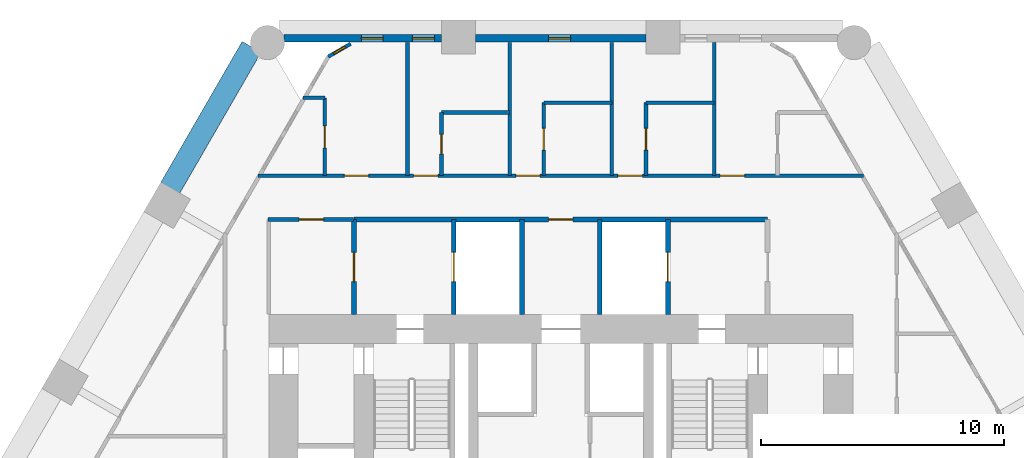
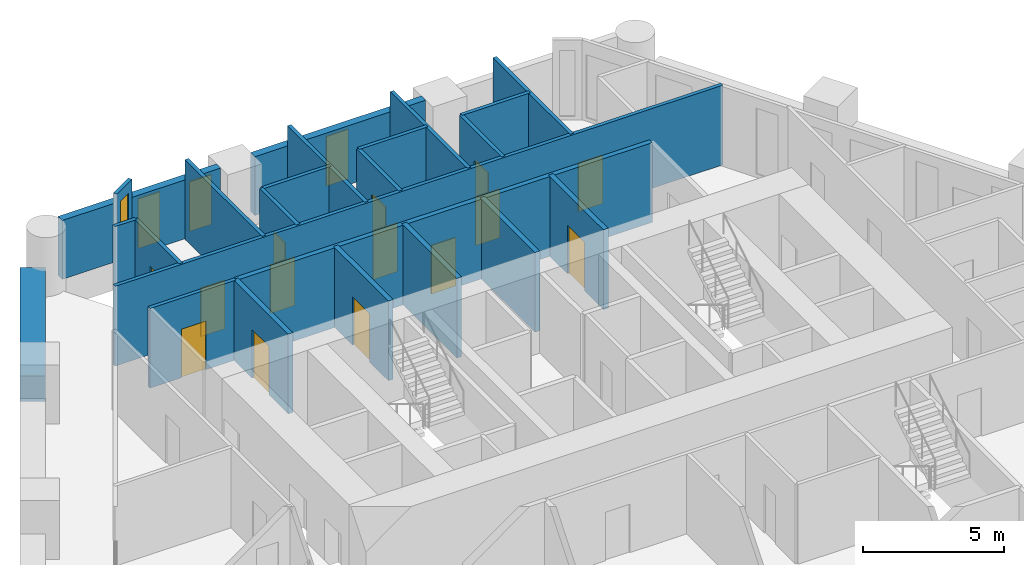
# One storey, part 6 of 8: 24 walls, 14 doors, 4 windows, 18 openings.
"""IFC4 building model written with IfcOpenShell, lengths in metres."""

from ifc_helpers import new_model, si_unit, direction, frame, frame_2d, origin, place, context, subcontext, project, spatial, rectangle, extrude, material, layer, layer_set, type_object, element, fill, save


model = new_model("IFC4")

# Units and contexts
model_context = context("Model", 3, precision=1e-05, world=origin(), true_north=direction((0.0, 1.0)))
body_context = subcontext(model_context, "Body", "Model", "MODEL_VIEW")
ifc_project = project(units=[si_unit("LENGTHUNIT", "METRE"), si_unit("AREAUNIT", "SQUARE_METRE"), si_unit("VOLUMEUNIT", "CUBIC_METRE"), si_unit("PLANEANGLEUNIT", "RADIAN"), si_unit("MASSUNIT", "GRAM", prefix="KILO")], contexts=[model_context])

# Site, building, storey
site_placement = place(None, origin())
site = spatial("IfcSite", under=ifc_project, at=site_placement, CompositionType="ELEMENT")
building_placement = place(site_placement, origin())
building = spatial("IfcBuilding", under=site, at=building_placement, Name="Ostrander Bayou Hotel Tower", CompositionType="ELEMENT")
storey_placement = place(building_placement, frame((0.0, 0.0, 28.0)))
storey = spatial("IfcBuildingStorey", under=building, at=storey_placement, Name="L06", CompositionType="ELEMENT", Elevation=28.0)

# Wall, opening, window
ifc_material_1 = material(Name="Aluminium framed insulated wall", Category="aluminium")
ifc_layer_1 = layer(ifc_material_1, 0.14990234375)
ifc_layer_set_1 = layer_set([ifc_layer_1], Name="GW1 glass-line wall 150 mm")
wall_type_1 = type_object("IfcWallType", Name="GW1 glass-line wall 150 mm", PredefinedType="SOLIDWALL", material=ifc_layer_set_1)
wall_1_placement = place(storey_placement, frame((-8.63720703125, 20.824951171875, 0.0), z_axis=(0.0, 0.0, 1.0), x_axis=(-0.866048165231, -0.499960573946, 0.0)))
wall_1 = element("IfcWall", 1, at=wall_1_placement, inside=storey, type_object=wall_type_1, Name="GW1 L06 corner 1", PredefinedType="SOLIDWALL", context=body_context, shape_type="SweptSolid", body=[
    extrude(rectangle(XDim=1.06494140625, YDim=0.14990234375, at=frame_2d((0.532470703125, 0.0))), origin(), (0.0, 0.0, 1.0), 3.449951171875),
])
opening_1_placement = place(wall_1_placement, frame((0.257568359375, 0.0, 0.14990234375)))
opening_1 = element("IfcOpeningElement", 2, at=opening_1_placement, cuts=wall_1, Name="Opening W19", PredefinedType="OPENING", context=body_context, shape_type="SweptSolid", body=[
    extrude(rectangle(XDim=0.550048828125, YDim=2.85009765625, at=frame_2d((0.27490234375, 1.425048828125))), frame((0.0, 0.074951171875, 0.0), z_axis=(0.0, -1.0, 0.0), x_axis=(1.0, 0.0, 0.0)), (0.0, 0.0, 1.0), 0.14990234375),
])
ifc_material_2 = material(Name="Aluminium and clear glass", Category="aluminium")
window_type_1 = type_object("IfcWindowType", Name="W19 corner window 550 mm", PartitioningType="SINGLE_PANEL", PredefinedType="WINDOW", material=ifc_material_2)
window_1_placement = place(opening_1_placement, origin())
window_1 = element("IfcWindow", 3, at=window_1_placement, inside=storey, type_object=window_type_1, Name="W19 L06 corner 1", OverallHeight=2.85009765625, OverallWidth=0.550048828125, PartitioningType="SINGLE_PANEL", PredefinedType="WINDOW", context=body_context, shape_type="SweptSolid", body=[
    extrude(rectangle(XDim=0.550048828125, YDim=2.85009765625, at=frame_2d((0.27490234375, 1.425048828125))), frame((0.0, 0.030029296875, 0.0), z_axis=(0.0, -1.0, 0.0), x_axis=(1.0, 0.0, 0.0)), (0.0, 0.0, 1.0), 0.06005859375),
])
fill(opening_1, window_1)

ifc_material_3 = material(Name="Reconstituted stone on masonry backing", Category="masonry")
ifc_layer_2 = layer(ifc_material_3, 0.300048828125)
ifc_layer_set_2 = layer_set([ifc_layer_2], Name="NW1 north stone wall 300 mm")
wall_type_2 = type_object("IfcWallType", Name="NW1 north stone wall 300 mm", PredefinedType="SOLIDWALL", material=ifc_layer_set_2)
wall_2_placement = place(storey_placement, frame((3.495361328125, 21.050048828125, 0.0), z_axis=(0.0, 0.0, 1.0), x_axis=(-1.0, 0.0, 0.0)))
wall_2 = element("IfcWall", 4, at=wall_2_placement, inside=storey, type_object=wall_type_2, Name="NW1 L06 N-2", PredefinedType="SOLIDWALL", context=body_context, shape_type="SweptSolid", body=[
    extrude(rectangle(XDim=6.99072265625, YDim=0.300048828125, at=frame_2d((3.495361328125, 0.0))), origin(), (0.0, 0.0, 1.0), 2.550048828125),
])
opening_2_placement = place(wall_2_placement, frame((3.095458984375, 0.0, 0.14990234375)))
opening_2 = element("IfcOpeningElement", 5, at=opening_2_placement, cuts=wall_2, Name="Opening W15", PredefinedType="OPENING", context=body_context, shape_type="SweptSolid", body=[
    extrude(rectangle(XDim=0.89990234375, YDim=2.14990234375, at=frame_2d((0.449951171875, 1.074951171875))), frame((0.0, 0.14990234375, 0.0), z_axis=(0.0, -1.0, 0.0), x_axis=(1.0, 0.0, 0.0)), (0.0, 0.0, 1.0), 0.300048828125),
])
ifc_material_4 = material(Name="Aluminium and clear glass", Category="aluminium")
window_type_2 = type_object("IfcWindowType", Name="W15 window 900 mm, zone 1", PartitioningType="SINGLE_PANEL", PredefinedType="WINDOW", material=ifc_material_4)
window_2_placement = place(opening_2_placement, origin())
window_2 = element("IfcWindow", 6, at=window_2_placement, inside=storey, type_object=window_type_2, Name="W15 L06 north N-2", OverallHeight=2.14990234375, OverallWidth=0.89990234375, PartitioningType="SINGLE_PANEL", PredefinedType="WINDOW", context=body_context, shape_type="SweptSolid", body=[
    extrude(rectangle(XDim=0.89990234375, YDim=2.14990234375, at=frame_2d((0.449951171875, 1.074951171875))), frame((0.0, 0.030029296875, 0.0), z_axis=(0.0, -1.0, 0.0), x_axis=(1.0, 0.0, 0.0)), (0.0, 0.0, 1.0), 0.06005859375),
])
fill(opening_2, window_2)

# Wall, openings, windows
wall_3_placement = place(storey_placement, frame((-4.8955078125, 21.050048828125, 0.0), z_axis=(0.0, 0.0, 1.0), x_axis=(-1.0, 0.0, 0.0)))
wall_3 = element("IfcWall", 7, at=wall_3_placement, inside=storey, type_object=wall_type_2, Name="NW1 L06 N-3", PredefinedType="SOLIDWALL", context=body_context, shape_type="SweptSolid", body=[
    extrude(rectangle(XDim=6.481201171875, YDim=0.300048828125, at=frame_2d((3.24072265625, 0.0))), origin(), (0.0, 0.0, 1.0), 2.550048828125),
])
opening_3_placement = place(wall_3_placement, frame((0.300048828125, 0.0, 0.14990234375)))
opening_3 = element("IfcOpeningElement", 8, at=opening_3_placement, cuts=wall_3, Name="Opening W15", PredefinedType="OPENING", context=body_context, shape_type="SweptSolid", body=[
    extrude(rectangle(XDim=0.89990234375, YDim=2.14990234375, at=frame_2d((0.449951171875, 1.074951171875))), frame((0.0, 0.14990234375, 0.0), z_axis=(0.0, -1.0, 0.0), x_axis=(1.0, 0.0, 0.0)), (0.0, 0.0, 1.0), 0.300048828125),
])
opening_4_placement = place(wall_3_placement, frame((2.404541015625, 0.0, 0.14990234375)))
opening_4 = element("IfcOpeningElement", 9, at=opening_4_placement, cuts=wall_3, Name="Opening W15", PredefinedType="OPENING", context=body_context, shape_type="SweptSolid", body=[
    extrude(rectangle(XDim=0.89990234375, YDim=2.14990234375, at=frame_2d((0.449951171875, 1.074951171875))), frame((0.0, 0.14990234375, 0.0), z_axis=(0.0, -1.0, 0.0), x_axis=(1.0, 0.0, 0.0)), (0.0, 0.0, 1.0), 0.300048828125),
])
window_3_placement = place(opening_3_placement, origin())
window_3 = element("IfcWindow", 10, at=window_3_placement, inside=storey, type_object=window_type_2, Name="W15 L06 north N-3", OverallHeight=2.14990234375, OverallWidth=0.89990234375, PartitioningType="SINGLE_PANEL", PredefinedType="WINDOW", context=body_context, shape_type="SweptSolid", body=[
    extrude(rectangle(XDim=0.89990234375, YDim=2.14990234375, at=frame_2d((0.449951171875, 1.074951171875))), frame((0.0, 0.030029296875, 0.0), z_axis=(0.0, -1.0, 0.0), x_axis=(1.0, 0.0, 0.0)), (0.0, 0.0, 1.0), 0.06005859375),
])
fill(opening_3, window_3)
window_4_placement = place(opening_4_placement, origin())
window_4 = element("IfcWindow", 11, at=window_4_placement, inside=storey, type_object=window_type_2, Name="W15 L06 north N-3-2", OverallHeight=2.14990234375, OverallWidth=0.89990234375, PartitioningType="SINGLE_PANEL", PredefinedType="WINDOW", context=body_context, shape_type="SweptSolid", body=[
    extrude(rectangle(XDim=0.89990234375, YDim=2.14990234375, at=frame_2d((0.449951171875, 1.074951171875))), frame((0.0, 0.030029296875, 0.0), z_axis=(0.0, -1.0, 0.0), x_axis=(1.0, 0.0, 0.0)), (0.0, 0.0, 1.0), 0.06005859375),
])
fill(opening_4, window_4)

# Wall
ifc_material_5 = material(Name="Concrete f'c 40 MPa", Category="concrete")
ifc_layer_3 = layer(ifc_material_5, 0.89990234375)
ifc_layer_set_3 = layer_set([ifc_layer_3], Name="PA1 stone-faced parapet 900 mm")
wall_type_3 = type_object("IfcWallType", Name="PA1 stone-faced parapet 900 mm", PredefinedType="PARAPET", material=ifc_layer_set_3)
wall_4_placement = place(storey_placement, frame((-12.705078125, 20.694091796875, 0.0), z_axis=(0.0, 0.0, 1.0), x_axis=(-0.500005133765, -0.866022439784, 0.0)))
element("IfcWall", 12, at=wall_4_placement, inside=storey, type_object=wall_type_3, Name="PA1 L06 NW-1", PredefinedType="PARAPET", context=body_context, shape_type="SweptSolid", body=[
    extrude(rectangle(XDim=6.70361328125, YDim=0.89990234375, at=frame_2d((3.351806640625, 0.0))), origin(), (0.0, 0.0, 1.0), 1.10009765625),
])

# Wall, opening, door
ifc_material_6 = material(Name="Masonry block", Category="masonry")
ifc_layer_4 = layer(ifc_material_6, 0.199951171875)
ifc_layer_set_4 = layer_set([ifc_layer_4], Name="PT5 stair enclosure wall 200 mm masonry, 2 hour")
wall_type_4 = type_object("IfcWallType", Name="PT5 stair enclosure wall 200 mm masonry, 2 hour", PredefinedType="PARTITIONING", material=ifc_layer_set_4)
wall_5_placement = place(storey_placement, frame((-8.5, 13.60009765625, 0.0), z_axis=(0.0, 0.0, 1.0), x_axis=(1.0, 0.0, 0.0)))
wall_5 = element("IfcWall", 13, at=wall_5_placement, inside=storey, type_object=wall_type_4, Name="cs:L06:025", PredefinedType="PARTITIONING", context=body_context, shape_type="SweptSolid", body=[
    extrude(rectangle(XDim=17.0, YDim=0.199951171875, at=frame_2d((8.5, 0.0))), origin(), (0.0, 0.0, 1.0), 3.449951171875),
])
opening_5_placement = place(wall_5_placement, frame((8.0, 0.0, 0.0)))
opening_5 = element("IfcOpeningElement", 14, at=opening_5_placement, cuts=wall_5, Name="Opening T06-013", PredefinedType="OPENING", context=body_context, shape_type="SweptSolid", body=[
    extrude(rectangle(XDim=1.0, YDim=2.10009765625, at=frame_2d((0.5, 1.050048828125))), frame((0.0, 0.10009765625, 0.0), z_axis=(0.0, -1.0, 0.0), x_axis=(1.0, 0.0, 0.0)), (0.0, 0.0, 1.0), 0.199951171875),
])
ifc_material_7 = material(Name="Timber door leaf", Category="wood")
door_type_1 = type_object("IfcDoorType", Name="D9 service door 1000 x 2100 mm, 30 minute", OperationType="SINGLE_SWING_LEFT", PredefinedType="DOOR", material=ifc_material_7)
door_1_placement = place(opening_5_placement, origin())
door_1 = element("IfcDoor", 15, at=door_1_placement, inside=storey, type_object=door_type_1, Name="dr:L06:013", OperationType="SINGLE_SWING_LEFT", OverallHeight=2.10009765625, OverallWidth=1.0, PredefinedType="DOOR", context=body_context, shape_type="SweptSolid", body=[
    extrude(rectangle(XDim=1.0, YDim=2.10009765625, at=frame_2d((0.5, 1.050048828125))), frame((0.0, 0.02490234375, 0.0), z_axis=(0.0, -1.0, 0.0), x_axis=(1.0, 0.0, 0.0)), (0.0, 0.0, 1.0), 0.050048828125),
])
fill(opening_5, door_1)

wall_6_placement = place(storey_placement, frame((-8.5, 9.699951171875, 0.0), z_axis=(0.0, 0.0, 1.0), x_axis=(0.0, 1.0, 0.0)))
wall_6 = element("IfcWall", 16, at=wall_6_placement, inside=storey, type_object=wall_type_4, Name="cs:L06:026", PredefinedType="PARTITIONING", context=body_context, shape_type="SweptSolid", body=[
    extrude(rectangle(XDim=3.900146484375, YDim=0.199951171875, at=frame_2d((1.9501953125, 0.0))), origin(), (0.0, 0.0, 1.0), 3.449951171875),
])
opening_6_placement = place(wall_6_placement, frame((1.35009765625, 0.0, 0.0)))
opening_6 = element("IfcOpeningElement", 17, at=opening_6_placement, cuts=wall_6, Name="Opening T06-010", PredefinedType="OPENING", context=body_context, shape_type="SweptSolid", body=[
    extrude(rectangle(XDim=1.199951171875, YDim=2.10009765625, at=frame_2d((0.60009765625, 1.050048828125))), frame((0.0, 0.10009765625, 0.0), z_axis=(0.0, -1.0, 0.0), x_axis=(1.0, 0.0, 0.0)), (0.0, 0.0, 1.0), 0.199951171875),
])
ifc_material_8 = material(Name="Timber door leaf", Category="wood")
door_type_2 = type_object("IfcDoorType", Name="D7 lobby door 1200 x 2100 mm, 1 hour", OperationType="SINGLE_SWING_LEFT", PredefinedType="DOOR", material=ifc_material_8)
door_2_placement = place(opening_6_placement, origin())
door_2 = element("IfcDoor", 18, at=door_2_placement, inside=storey, type_object=door_type_2, Name="dr:L06:010", OperationType="SINGLE_SWING_LEFT", OverallHeight=2.10009765625, OverallWidth=1.199951171875, PredefinedType="DOOR", context=body_context, shape_type="SweptSolid", body=[
    extrude(rectangle(XDim=1.199951171875, YDim=2.10009765625, at=frame_2d((0.60009765625, 1.050048828125))), frame((0.0, 0.02490234375, 0.0), z_axis=(0.0, -1.0, 0.0), x_axis=(1.0, 0.0, 0.0)), (0.0, 0.0, 1.0), 0.050048828125),
])
fill(opening_6, door_2)

wall_7_placement = place(storey_placement, frame((-4.39990234375, 9.699951171875, 0.0), z_axis=(0.0, 0.0, 1.0), x_axis=(0.0, 1.0, 0.0)))
wall_7 = element("IfcWall", 19, at=wall_7_placement, inside=storey, type_object=wall_type_4, Name="cs:L06:028", PredefinedType="PARTITIONING", context=body_context, shape_type="SweptSolid", body=[
    extrude(rectangle(XDim=3.900146484375, YDim=0.199951171875, at=frame_2d((1.9501953125, 0.0))), origin(), (0.0, 0.0, 1.0), 3.449951171875),
])
opening_7_placement = place(wall_7_placement, frame((1.35009765625, 0.0, 0.0)))
opening_7 = element("IfcOpeningElement", 20, at=opening_7_placement, cuts=wall_7, Name="Opening T06-009", PredefinedType="OPENING", context=body_context, shape_type="SweptSolid", body=[
    extrude(rectangle(XDim=1.199951171875, YDim=2.10009765625, at=frame_2d((0.60009765625, 1.050048828125))), frame((0.0, 0.10009765625, 0.0), z_axis=(0.0, -1.0, 0.0), x_axis=(1.0, 0.0, 0.0)), (0.0, 0.0, 1.0), 0.199951171875),
])
ifc_material_9 = material(Name="Stainless steel sliding door", Category="steel")
door_type_3 = type_object("IfcDoorType", Name="LD1 lift landing door 1200 x 2100 mm", OperationType="SINGLE_SWING_LEFT", PredefinedType="DOOR", material=ifc_material_9)
door_3_placement = place(opening_7_placement, origin())
door_3 = element("IfcDoor", 21, at=door_3_placement, inside=storey, type_object=door_type_3, Name="dr:L06:009", OperationType="SLIDING_TO_LEFT", OverallHeight=2.10009765625, OverallWidth=1.199951171875, PredefinedType="DOOR", context=body_context, shape_type="SweptSolid", body=[
    extrude(rectangle(XDim=1.199951171875, YDim=2.10009765625, at=frame_2d((0.60009765625, 1.050048828125))), frame((0.0, 0.02490234375, 0.0), z_axis=(0.0, -1.0, 0.0), x_axis=(1.0, 0.0, 0.0)), (0.0, 0.0, 1.0), 0.050048828125),
])
fill(opening_7, door_3)

wall_8_placement = place(storey_placement, frame((4.39990234375, 9.699951171875, 0.0), z_axis=(0.0, 0.0, 1.0), x_axis=(0.0, 1.0, 0.0)))
wall_8 = element("IfcWall", 22, at=wall_8_placement, inside=storey, type_object=wall_type_4, Name="cs:L06:029", PredefinedType="PARTITIONING", context=body_context, shape_type="SweptSolid", body=[
    extrude(rectangle(XDim=3.900146484375, YDim=0.199951171875, at=frame_2d((1.9501953125, 0.0))), origin(), (0.0, 0.0, 1.0), 3.449951171875),
])
opening_8_placement = place(wall_8_placement, frame((1.35009765625, 0.0, 0.0)))
opening_8 = element("IfcOpeningElement", 23, at=opening_8_placement, cuts=wall_8, Name="Opening T06-011", PredefinedType="OPENING", context=body_context, shape_type="SweptSolid", body=[
    extrude(rectangle(XDim=1.199951171875, YDim=2.10009765625, at=frame_2d((0.60009765625, 1.050048828125))), frame((0.0, 0.10009765625, 0.0), z_axis=(0.0, -1.0, 0.0), x_axis=(1.0, 0.0, 0.0)), (0.0, 0.0, 1.0), 0.199951171875),
])
door_4_placement = place(opening_8_placement, origin())
door_4 = element("IfcDoor", 24, at=door_4_placement, inside=storey, type_object=door_type_3, Name="dr:L06:011", OperationType="SLIDING_TO_LEFT", OverallHeight=2.10009765625, OverallWidth=1.199951171875, PredefinedType="DOOR", context=body_context, shape_type="SweptSolid", body=[
    extrude(rectangle(XDim=1.199951171875, YDim=2.10009765625, at=frame_2d((0.60009765625, 1.050048828125))), frame((0.0, 0.02490234375, 0.0), z_axis=(0.0, -1.0, 0.0), x_axis=(1.0, 0.0, 0.0)), (0.0, 0.0, 1.0), 0.050048828125),
])
fill(opening_8, door_4)

# Walls
ifc_material_10 = material(Name="Masonry block", Category="masonry")
ifc_layer_5 = layer(ifc_material_10, 0.199951171875)
ifc_layer_set_5 = layer_set([ifc_layer_5], Name="PT6 lift shaft wall 200 mm masonry, 2 hour")
wall_type_5 = type_object("IfcWallType", Name="PT6 lift shaft wall 200 mm masonry, 2 hour", PredefinedType="PARTITIONING", material=ifc_layer_set_5)
for number, where, z_axis, x_axis, name in (
    (25, (-1.60009765625, 9.699951171875, 0.0), (0.0, 0.0, 1.0), (0.0, 1.0, 0.0), "cs:L06:030"),
    (26, (1.60009765625, 9.699951171875, 0.0), (0.0, 0.0, 1.0), (0.0, 1.0, 0.0), "cs:L06:031"),
):
    element("IfcWall", number, at=place(storey_placement, frame(where, z_axis=z_axis, x_axis=x_axis)), inside=storey, type_object=wall_type_5, Name=name, PredefinedType="PARTITIONING", context=body_context, shape_type="SweptSolid", body=[
        extrude(rectangle(XDim=3.900146484375, YDim=0.199951171875, at=frame_2d((1.9501953125, 0.0))), origin(), (0.0, 0.0, 1.0), 3.449951171875),
    ])

# Wall, opening, door
ifc_material_11 = material(Name="Gypsum board partition", Category="finish")
ifc_layer_6 = layer(ifc_material_11, 0.14990234375)
ifc_layer_set_6 = layer_set([ifc_layer_6], Name="PT8 service band wall 150 mm, 1 hour")
wall_type_6 = type_object("IfcWallType", Name="PT8 service band wall 150 mm, 1 hour", PredefinedType="PARTITIONING", material=ifc_layer_set_6)
wall_9_placement = place(storey_placement, frame((-12.0400390625, 13.60009765625, 0.0), z_axis=(0.0, 0.0, 1.0), x_axis=(1.0, 0.0, 0.0)))
wall_9 = element("IfcWall", 27, at=wall_9_placement, inside=storey, type_object=wall_type_6, Name="gw:L06:013", PredefinedType="PARTITIONING", context=body_context, shape_type="SweptSolid", body=[
    extrude(rectangle(XDim=3.530029296875, YDim=0.14990234375, at=frame_2d((1.76513671875, 0.0))), origin(), (0.0, 0.0, 1.0), 3.449951171875),
])
opening_9_placement = place(wall_9_placement, frame((1.2900390625, 0.0, 0.0)))
opening_9 = element("IfcOpeningElement", 28, at=opening_9_placement, cuts=wall_9, Name="Opening T06-425", PredefinedType="OPENING", context=body_context, shape_type="SweptSolid", body=[
    extrude(rectangle(XDim=1.0, YDim=2.10009765625, at=frame_2d((0.5, 1.050048828125))), frame((0.0, 0.074951171875, 0.0), z_axis=(0.0, -1.0, 0.0), x_axis=(1.0, 0.0, 0.0)), (0.0, 0.0, 1.0), 0.14990234375),
])
door_5_placement = place(opening_9_placement, origin())
door_5 = element("IfcDoor", 29, at=door_5_placement, inside=storey, type_object=door_type_1, Name="dr:L06:425", OperationType="SINGLE_SWING_RIGHT", OverallHeight=2.10009765625, OverallWidth=1.0, PredefinedType="DOOR", context=body_context, shape_type="SweptSolid", body=[
    extrude(rectangle(XDim=1.0, YDim=2.10009765625, at=frame_2d((0.5, 1.050048828125))), frame((0.0, 0.02490234375, 0.0), z_axis=(0.0, -1.0, 0.0), x_axis=(1.0, 0.0, 0.0)), (0.0, 0.0, 1.0), 0.050048828125),
])
fill(opening_9, door_5)

# Wall, openings, doors
wall_10_placement = place(storey_placement, frame((-12.43603515625, 15.39990234375, 0.0), z_axis=(0.0, 0.0, 1.0), x_axis=(1.0, 0.0, 0.0)))
wall_10 = element("IfcWall", 30, at=wall_10_placement, inside=storey, type_object=wall_type_6, Name="gw:L06:014", PredefinedType="PARTITIONING", context=body_context, shape_type="SweptSolid", body=[
    extrude(rectangle(XDim=24.8720703125, YDim=0.14990234375, at=frame_2d((12.43603515625, 0.0))), origin(), (0.0, 0.0, 1.0), 3.449951171875),
])
opening_10_placement = place(wall_10_placement, frame((3.5380859375, 0.0, 0.0)))
opening_10 = element("IfcOpeningElement", 31, at=opening_10_placement, cuts=wall_10, Name="Opening T06-415", PredefinedType="OPENING", context=body_context, shape_type="SweptSolid", body=[
    extrude(rectangle(XDim=1.0, YDim=2.10009765625, at=frame_2d((0.5, 1.050048828125))), frame((0.0, 0.074951171875, 0.0), z_axis=(0.0, -1.0, 0.0), x_axis=(1.0, 0.0, 0.0)), (0.0, 0.0, 1.0), 0.14990234375),
])
opening_11_placement = place(wall_10_placement, frame((6.385986328125, 0.0, 0.0)))
opening_11 = element("IfcOpeningElement", 32, at=opening_11_placement, cuts=wall_10, Name="Opening T06-417", PredefinedType="OPENING", context=body_context, shape_type="SweptSolid", body=[
    extrude(rectangle(XDim=1.0, YDim=2.10009765625, at=frame_2d((0.5, 1.050048828125))), frame((0.0, 0.074951171875, 0.0), z_axis=(0.0, -1.0, 0.0), x_axis=(1.0, 0.0, 0.0)), (0.0, 0.0, 1.0), 0.14990234375),
])
opening_12_placement = place(wall_10_placement, frame((10.5859375, 0.0, 0.0)))
opening_12 = element("IfcOpeningElement", 33, at=opening_12_placement, cuts=wall_10, Name="Opening T06-419", PredefinedType="OPENING", context=body_context, shape_type="SweptSolid", body=[
    extrude(rectangle(XDim=1.0, YDim=2.10009765625, at=frame_2d((0.5, 1.050048828125))), frame((0.0, 0.074951171875, 0.0), z_axis=(0.0, -1.0, 0.0), x_axis=(1.0, 0.0, 0.0)), (0.0, 0.0, 1.0), 0.14990234375),
])
opening_13_placement = place(wall_10_placement, frame((14.785888671875, 0.0, 0.0)))
opening_13 = element("IfcOpeningElement", 34, at=opening_13_placement, cuts=wall_10, Name="Opening T06-421", PredefinedType="OPENING", context=body_context, shape_type="SweptSolid", body=[
    extrude(rectangle(XDim=1.0, YDim=2.10009765625, at=frame_2d((0.5, 1.050048828125))), frame((0.0, 0.074951171875, 0.0), z_axis=(0.0, -1.0, 0.0), x_axis=(1.0, 0.0, 0.0)), (0.0, 0.0, 1.0), 0.14990234375),
])
opening_14_placement = place(wall_10_placement, frame((18.986083984375, 0.0, 0.0)))
opening_14 = element("IfcOpeningElement", 35, at=opening_14_placement, cuts=wall_10, Name="Opening T06-423", PredefinedType="OPENING", context=body_context, shape_type="SweptSolid", body=[
    extrude(rectangle(XDim=1.0, YDim=2.10009765625, at=frame_2d((0.5, 1.050048828125))), frame((0.0, 0.074951171875, 0.0), z_axis=(0.0, -1.0, 0.0), x_axis=(1.0, 0.0, 0.0)), (0.0, 0.0, 1.0), 0.14990234375),
])
ifc_material_12 = material(Name="Timber door leaf", Category="wood")
door_type_4 = type_object("IfcDoorType", Name="D1 guest room door 1000 x 2100 mm, 30 minute", OperationType="SINGLE_SWING_LEFT", PredefinedType="DOOR", material=ifc_material_12)
door_6_placement = place(opening_11_placement, origin())
door_6 = element("IfcDoor", 36, at=door_6_placement, inside=storey, type_object=door_type_4, Name="dr:L06:417", OperationType="SINGLE_SWING_LEFT", OverallHeight=2.10009765625, OverallWidth=1.0, PredefinedType="DOOR", context=body_context, shape_type="SweptSolid", body=[
    extrude(rectangle(XDim=1.0, YDim=2.10009765625, at=frame_2d((0.5, 1.050048828125))), frame((0.0, 0.02490234375, 0.0), z_axis=(0.0, -1.0, 0.0), x_axis=(1.0, 0.0, 0.0)), (0.0, 0.0, 1.0), 0.050048828125),
])
fill(opening_11, door_6)
door_7_placement = place(opening_12_placement, origin())
door_7 = element("IfcDoor", 37, at=door_7_placement, inside=storey, type_object=door_type_4, Name="dr:L06:419", OperationType="SINGLE_SWING_LEFT", OverallHeight=2.10009765625, OverallWidth=1.0, PredefinedType="DOOR", context=body_context, shape_type="SweptSolid", body=[
    extrude(rectangle(XDim=1.0, YDim=2.10009765625, at=frame_2d((0.5, 1.050048828125))), frame((0.0, 0.02490234375, 0.0), z_axis=(0.0, -1.0, 0.0), x_axis=(1.0, 0.0, 0.0)), (0.0, 0.0, 1.0), 0.050048828125),
])
fill(opening_12, door_7)
door_8_placement = place(opening_13_placement, origin())
door_8 = element("IfcDoor", 38, at=door_8_placement, inside=storey, type_object=door_type_4, Name="dr:L06:421", OperationType="SINGLE_SWING_LEFT", OverallHeight=2.10009765625, OverallWidth=1.0, PredefinedType="DOOR", context=body_context, shape_type="SweptSolid", body=[
    extrude(rectangle(XDim=1.0, YDim=2.10009765625, at=frame_2d((0.5, 1.050048828125))), frame((0.0, 0.02490234375, 0.0), z_axis=(0.0, -1.0, 0.0), x_axis=(1.0, 0.0, 0.0)), (0.0, 0.0, 1.0), 0.050048828125),
])
fill(opening_13, door_8)
door_9_placement = place(opening_14_placement, origin())
door_9 = element("IfcDoor", 39, at=door_9_placement, inside=storey, type_object=door_type_4, Name="dr:L06:423", OperationType="SINGLE_SWING_LEFT", OverallHeight=2.10009765625, OverallWidth=1.0, PredefinedType="DOOR", context=body_context, shape_type="SweptSolid", body=[
    extrude(rectangle(XDim=1.0, YDim=2.10009765625, at=frame_2d((0.5, 1.050048828125))), frame((0.0, 0.02490234375, 0.0), z_axis=(0.0, -1.0, 0.0), x_axis=(1.0, 0.0, 0.0)), (0.0, 0.0, 1.0), 0.050048828125),
])
fill(opening_14, door_9)
ifc_material_13 = material(Name="Timber door leaf", Category="wood")
door_type_5 = type_object("IfcDoorType", Name="D15 room door 1000 x 2100 mm", OperationType="SINGLE_SWING_LEFT", PredefinedType="DOOR", material=ifc_material_13)
door_10_placement = place(opening_10_placement, origin())
door_10 = element("IfcDoor", 40, at=door_10_placement, inside=storey, type_object=door_type_5, Name="dr:L06:415", OperationType="SINGLE_SWING_RIGHT", OverallHeight=2.10009765625, OverallWidth=1.0, PredefinedType="DOOR", context=body_context, shape_type="SweptSolid", body=[
    extrude(rectangle(XDim=1.0, YDim=2.10009765625, at=frame_2d((0.5, 1.050048828125))), frame((0.0, 0.02490234375, 0.0), z_axis=(0.0, -1.0, 0.0), x_axis=(1.0, 0.0, 0.0)), (0.0, 0.0, 1.0), 0.050048828125),
])
fill(opening_10, door_10)

# Walls
wall_11_placement = place(storey_placement, frame((-4.89990234375, 18.0, 0.0), z_axis=(0.0, 0.0, 1.0), x_axis=(1.0, 0.0, 0.0)))
element("IfcWall", 41, at=wall_11_placement, inside=storey, type_object=wall_type_6, Name="gw:L06:015", PredefinedType="PARTITIONING", context=body_context, shape_type="SweptSolid", body=[
    extrude(rectangle(XDim=2.7998046875, YDim=0.14990234375, at=frame_2d((1.39990234375, 0.0))), origin(), (0.0, 0.0, 1.0), 3.449951171875),
])
for number, where, z_axis, x_axis, name in (
    (42, (-0.699951171875, 18.39990234375, 0.0), (0.0, 0.0, 1.0), (1.0, 0.0, 0.0), "gw:L06:017"),
    (43, (3.5, 18.39990234375, 0.0), (0.0, 0.0, 1.0), (1.0, 0.0, 0.0), "gw:L06:018"),
):
    element("IfcWall", number, at=place(storey_placement, frame(where, z_axis=z_axis, x_axis=x_axis)), inside=storey, type_object=wall_type_6, Name=name, PredefinedType="PARTITIONING", context=body_context, shape_type="SweptSolid", body=[
        extrude(rectangle(XDim=2.800048828125, YDim=0.14990234375, at=frame_2d((1.39990234375, 0.0))), origin(), (0.0, 0.0, 1.0), 3.449951171875),
    ])
wall_12_placement = place(storey_placement, frame((-10.589111328125, 18.60009765625, 0.0), z_axis=(0.0, 0.0, 1.0), x_axis=(1.0, 0.0, 0.0)))
element("IfcWall", 44, at=wall_12_placement, inside=storey, type_object=wall_type_6, Name="gw:L06:019", PredefinedType="PARTITIONING", context=body_context, shape_type="SweptSolid", body=[
    extrude(rectangle(XDim=0.89404296875, YDim=0.14990234375, at=frame_2d((0.447021484375, 0.0))), origin(), (0.0, 0.0, 1.0), 3.449951171875),
])
wall_13_placement = place(storey_placement, frame((6.300048828125, 15.39990234375, 0.0), z_axis=(0.0, 0.0, 1.0), x_axis=(0.0, 1.0, 0.0)))
element("IfcWall", 45, at=wall_13_placement, inside=storey, type_object=wall_type_6, Name="gw:L06:025", PredefinedType="PARTITIONING", context=body_context, shape_type="SweptSolid", body=[
    extrude(rectangle(XDim=5.47021484375, YDim=0.14990234375, at=frame_2d((2.735107421875, 0.0))), origin(), (0.0, 0.0, 1.0), 3.449951171875),
])

# Wall, opening, door
wall_14_placement = place(storey_placement, frame((3.5, 15.39990234375, 0.0), z_axis=(0.0, 0.0, 1.0), x_axis=(0.0, 1.0, 0.0)))
wall_14 = element("IfcWall", 46, at=wall_14_placement, inside=storey, type_object=wall_type_6, Name="gw:L06:027", PredefinedType="PARTITIONING", context=body_context, shape_type="SweptSolid", body=[
    extrude(rectangle(XDim=3.0, YDim=0.14990234375, at=frame_2d((1.5, 0.0))), origin(), (0.0, 0.0, 1.0), 3.449951171875),
])
opening_15_placement = place(wall_14_placement, frame((1.050048828125, 0.0, 0.0)))
opening_15 = element("IfcOpeningElement", 47, at=opening_15_placement, cuts=wall_14, Name="Opening T06-422", PredefinedType="OPENING", context=body_context, shape_type="SweptSolid", body=[
    extrude(rectangle(XDim=0.89990234375, YDim=2.10009765625, at=frame_2d((0.449951171875, 1.050048828125))), frame((0.0, 0.074951171875, 0.0), z_axis=(0.0, -1.0, 0.0), x_axis=(1.0, 0.0, 0.0)), (0.0, 0.0, 1.0), 0.14990234375),
])
ifc_material_14 = material(Name="Timber door leaf", Category="wood")
door_type_6 = type_object("IfcDoorType", Name="D14 bathroom door 900 x 2100 mm", OperationType="SINGLE_SWING_LEFT", PredefinedType="DOOR", material=ifc_material_14)
door_11_placement = place(opening_15_placement, origin())
door_11 = element("IfcDoor", 48, at=door_11_placement, inside=storey, type_object=door_type_6, Name="dr:L06:422", OperationType="SINGLE_SWING_LEFT", OverallHeight=2.10009765625, OverallWidth=0.89990234375, PredefinedType="DOOR", context=body_context, shape_type="SweptSolid", body=[
    extrude(rectangle(XDim=0.89990234375, YDim=2.10009765625, at=frame_2d((0.449951171875, 1.050048828125))), frame((0.0, 0.02490234375, 0.0), z_axis=(0.0, -1.0, 0.0), x_axis=(1.0, 0.0, 0.0)), (0.0, 0.0, 1.0), 0.050048828125),
])
fill(opening_15, door_11)

# Wall
wall_15_placement = place(storey_placement, frame((2.10009765625, 15.39990234375, 0.0), z_axis=(0.0, 0.0, 1.0), x_axis=(0.0, 1.0, 0.0)))
element("IfcWall", 49, at=wall_15_placement, inside=storey, type_object=wall_type_6, Name="gw:L06:029", PredefinedType="PARTITIONING", context=body_context, shape_type="SweptSolid", body=[
    extrude(rectangle(XDim=5.47021484375, YDim=0.14990234375, at=frame_2d((2.735107421875, 0.0))), origin(), (0.0, 0.0, 1.0), 3.449951171875),
])

# Wall, opening, door
wall_16_placement = place(storey_placement, frame((-0.699951171875, 15.39990234375, 0.0), z_axis=(0.0, 0.0, 1.0), x_axis=(0.0, 1.0, 0.0)))
wall_16 = element("IfcWall", 50, at=wall_16_placement, inside=storey, type_object=wall_type_6, Name="gw:L06:031", PredefinedType="PARTITIONING", context=body_context, shape_type="SweptSolid", body=[
    extrude(rectangle(XDim=3.0, YDim=0.14990234375, at=frame_2d((1.5, 0.0))), origin(), (0.0, 0.0, 1.0), 3.449951171875),
])
opening_16_placement = place(wall_16_placement, frame((1.050048828125, 0.0, 0.0)))
opening_16 = element("IfcOpeningElement", 51, at=opening_16_placement, cuts=wall_16, Name="Opening T06-420", PredefinedType="OPENING", context=body_context, shape_type="SweptSolid", body=[
    extrude(rectangle(XDim=0.89990234375, YDim=2.10009765625, at=frame_2d((0.449951171875, 1.050048828125))), frame((0.0, 0.074951171875, 0.0), z_axis=(0.0, -1.0, 0.0), x_axis=(1.0, 0.0, 0.0)), (0.0, 0.0, 1.0), 0.14990234375),
])
door_12_placement = place(opening_16_placement, origin())
door_12 = element("IfcDoor", 52, at=door_12_placement, inside=storey, type_object=door_type_6, Name="dr:L06:420", OperationType="SINGLE_SWING_LEFT", OverallHeight=2.10009765625, OverallWidth=0.89990234375, PredefinedType="DOOR", context=body_context, shape_type="SweptSolid", body=[
    extrude(rectangle(XDim=0.89990234375, YDim=2.10009765625, at=frame_2d((0.449951171875, 1.050048828125))), frame((0.0, 0.02490234375, 0.0), z_axis=(0.0, -1.0, 0.0), x_axis=(1.0, 0.0, 0.0)), (0.0, 0.0, 1.0), 0.050048828125),
])
fill(opening_16, door_12)

# Wall
wall_17_placement = place(storey_placement, frame((-2.10009765625, 15.39990234375, 0.0), z_axis=(0.0, 0.0, 1.0), x_axis=(0.0, 1.0, 0.0)))
element("IfcWall", 53, at=wall_17_placement, inside=storey, type_object=wall_type_6, Name="gw:L06:032", PredefinedType="PARTITIONING", context=body_context, shape_type="SweptSolid", body=[
    extrude(rectangle(XDim=5.47021484375, YDim=0.14990234375, at=frame_2d((2.735107421875, 0.0))), origin(), (0.0, 0.0, 1.0), 3.449951171875),
])

# Wall, opening, door
wall_18_placement = place(storey_placement, frame((-4.89990234375, 15.39990234375, 0.0), z_axis=(0.0, 0.0, 1.0), x_axis=(0.0, 1.0, 0.0)))
wall_18 = element("IfcWall", 54, at=wall_18_placement, inside=storey, type_object=wall_type_6, Name="gw:L06:033", PredefinedType="PARTITIONING", context=body_context, shape_type="SweptSolid", body=[
    extrude(rectangle(XDim=2.60009765625, YDim=0.14990234375, at=frame_2d((1.300048828125, 0.0))), origin(), (0.0, 0.0, 1.0), 3.449951171875),
])
opening_17_placement = place(wall_18_placement, frame((0.89990234375, 0.0, 0.0)))
opening_17 = element("IfcOpeningElement", 55, at=opening_17_placement, cuts=wall_18, Name="Opening T06-418", PredefinedType="OPENING", context=body_context, shape_type="SweptSolid", body=[
    extrude(rectangle(XDim=0.800048828125, YDim=2.10009765625, at=frame_2d((0.39990234375, 1.050048828125))), frame((0.0, 0.074951171875, 0.0), z_axis=(0.0, -1.0, 0.0), x_axis=(1.0, 0.0, 0.0)), (0.0, 0.0, 1.0), 0.14990234375),
])
ifc_material_15 = material(Name="Timber door leaf", Category="wood")
door_type_7 = type_object("IfcDoorType", Name="D2 bathroom door 800 x 2100 mm", OperationType="SINGLE_SWING_LEFT", PredefinedType="DOOR", material=ifc_material_15)
door_13_placement = place(opening_17_placement, origin())
door_13 = element("IfcDoor", 56, at=door_13_placement, inside=storey, type_object=door_type_7, Name="dr:L06:418", OperationType="SINGLE_SWING_LEFT", OverallHeight=2.10009765625, OverallWidth=0.800048828125, PredefinedType="DOOR", context=body_context, shape_type="SweptSolid", body=[
    extrude(rectangle(XDim=0.800048828125, YDim=2.10009765625, at=frame_2d((0.39990234375, 1.050048828125))), frame((0.0, 0.02490234375, 0.0), z_axis=(0.0, -1.0, 0.0), x_axis=(1.0, 0.0, 0.0)), (0.0, 0.0, 1.0), 0.050048828125),
])
fill(opening_17, door_13)

# Wall
wall_19_placement = place(storey_placement, frame((-6.300048828125, 15.39990234375, 0.0), z_axis=(0.0, 0.0, 1.0), x_axis=(0.0, 1.0, 0.0)))
element("IfcWall", 57, at=wall_19_placement, inside=storey, type_object=wall_type_6, Name="gw:L06:034", PredefinedType="PARTITIONING", context=body_context, shape_type="SweptSolid", body=[
    extrude(rectangle(XDim=5.47021484375, YDim=0.14990234375, at=frame_2d((2.735107421875, 0.0))), origin(), (0.0, 0.0, 1.0), 3.449951171875),
])

# Wall, opening, door
wall_20_placement = place(storey_placement, frame((-9.695068359375, 15.39990234375, 0.0), z_axis=(0.0, 0.0, 1.0), x_axis=(0.0, 1.0, 0.0)))
wall_20 = element("IfcWall", 58, at=wall_20_placement, inside=storey, type_object=wall_type_6, Name="gw:L06:036", PredefinedType="PARTITIONING", context=body_context, shape_type="SweptSolid", body=[
    extrude(rectangle(XDim=3.2001953125, YDim=0.14990234375, at=frame_2d((1.60009765625, 0.0))), origin(), (0.0, 0.0, 1.0), 3.449951171875),
])
opening_18_placement = place(wall_20_placement, frame((1.14990234375, 0.0, 0.0)))
opening_18 = element("IfcOpeningElement", 59, at=opening_18_placement, cuts=wall_20, Name="Opening T06-416", PredefinedType="OPENING", context=body_context, shape_type="SweptSolid", body=[
    extrude(rectangle(XDim=0.89990234375, YDim=2.10009765625, at=frame_2d((0.449951171875, 1.050048828125))), frame((0.0, 0.074951171875, 0.0), z_axis=(0.0, -1.0, 0.0), x_axis=(1.0, 0.0, 0.0)), (0.0, 0.0, 1.0), 0.14990234375),
])
ifc_material_16 = material(Name="Timber door leaf", Category="wood")
door_type_8 = type_object("IfcDoorType", Name="D8 room door 900 x 2100 mm", OperationType="SINGLE_SWING_LEFT", PredefinedType="DOOR", material=ifc_material_16)
door_14_placement = place(opening_18_placement, origin())
door_14 = element("IfcDoor", 60, at=door_14_placement, inside=storey, type_object=door_type_8, Name="dr:L06:416", OperationType="SINGLE_SWING_LEFT", OverallHeight=2.10009765625, OverallWidth=0.89990234375, PredefinedType="DOOR", context=body_context, shape_type="SweptSolid", body=[
    extrude(rectangle(XDim=0.89990234375, YDim=2.10009765625, at=frame_2d((0.449951171875, 1.050048828125))), frame((0.0, 0.02490234375, 0.0), z_axis=(0.0, -1.0, 0.0), x_axis=(1.0, 0.0, 0.0)), (0.0, 0.0, 1.0), 0.050048828125),
])
fill(opening_18, door_14)

save(model, "model.ifc")
